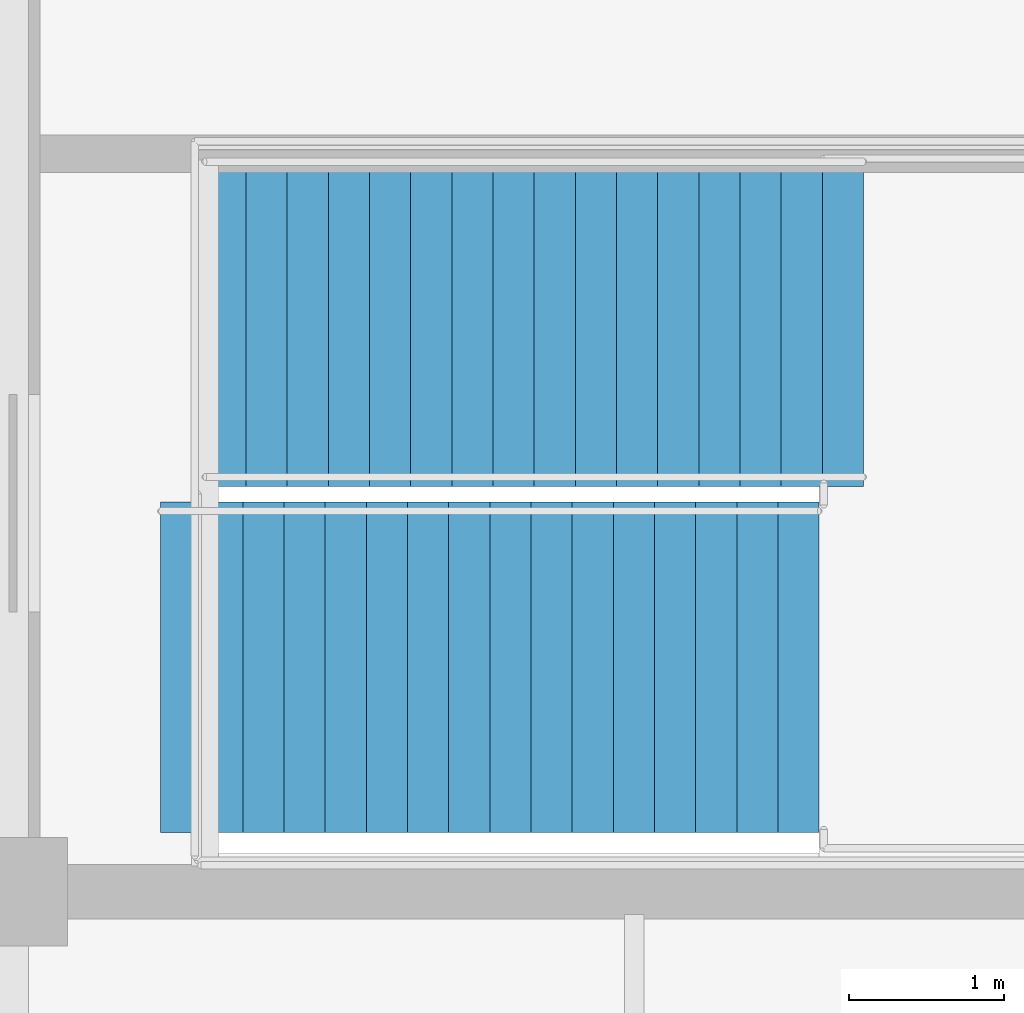
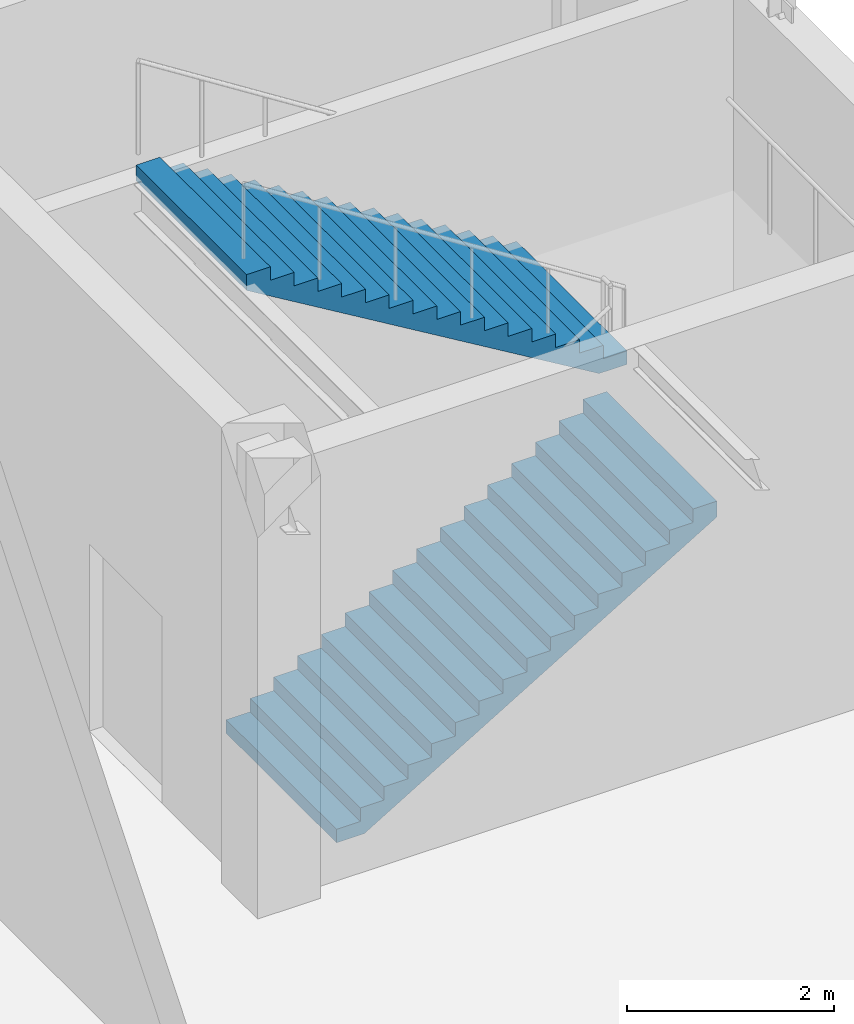
# One storey, part 171 of 184: 2 stair flights, 1 element without a shape of its own.
"""IFC4 building model written with IfcOpenShell, lengths in metres."""

from ifc_helpers import new_model, si_unit, direction, frame, origin, place, context, subcontext, project, spatial, polyline, outline, extrude, material, type_object, element, aggregate, save


model = new_model("IFC4")

# Units and contexts
model_context = context("Model", 3, precision=1e-05, world=origin(), true_north=direction((0.0, 1.0)))
body_context = subcontext(model_context, "Body", "Model", "MODEL_VIEW")
ifc_project = project(units=[si_unit("LENGTHUNIT", "METRE"), si_unit("AREAUNIT", "SQUARE_METRE"), si_unit("VOLUMEUNIT", "CUBIC_METRE"), si_unit("PLANEANGLEUNIT", "RADIAN"), si_unit("MASSUNIT", "GRAM", prefix="KILO")], contexts=[model_context])

# Site, building, storey
site_placement = place(None, origin())
site = spatial("IfcSite", under=ifc_project, at=site_placement, CompositionType="ELEMENT")
building_placement = place(site_placement, origin())
building = spatial("IfcBuilding", under=site, at=building_placement, Name="Zhaolan Boulevard Law Courts", CompositionType="ELEMENT")
storey_placement = place(building_placement, frame((0.0, 0.0, 5.39990234375)))
storey = spatial("IfcBuildingStorey", under=building, at=storey_placement, Name="L01", CompositionType="ELEMENT", Elevation=5.39990234375)

# Stair, stair flights
ifc_material_1 = material(Name="Concrete C40", Category="concrete")
stair_type = type_object("IfcStairType", Name="HALF TURN STAIR 54 A", PredefinedType="HALF_TURN_STAIR", material=ifc_material_1)
stair_placement = place(storey_placement, origin())
stair = element("IfcStair", 1, at=stair_placement, inside=storey, type_object=stair_type, Name="Stair ST09-L01", PredefinedType="HALF_TURN_STAIR")
ifc_material_2 = material(Name="Concrete C40", Category="concrete")
stair_flight_type = type_object("IfcStairFlightType", Name="STAIR FLIGHT 54 A", PredefinedType="STRAIGHT", material=ifc_material_2)
stair_flight_1_placement = place(storey_placement, frame((140.949951171875, 71.445068359375, 0.0), z_axis=(0.0, 0.0, 1.0), x_axis=(1.0, 0.0, 0.0)))
stair_flight_1 = element("IfcStairFlight", 2, at=stair_flight_1_placement, type_object=stair_flight_type, Name="Stair Flight ST09-L01-F1", NumberOfRisers=17, NumberOfTreads=16, PredefinedType="STRAIGHT", RiserHeight=0.158823529, TreadLength=0.265, context=body_context, shape_type="SweptSolid", body=[
    extrude(outline(polyline([(0.0, 0.0), (0.0, 0.158935546875), (0.264892578125, 0.158935546875), (0.264892578125, 0.317626953125), (0.530029296875, 0.317626953125), (0.530029296875, 0.4765625), (0.794921875, 0.4765625), (0.794921875, 0.63525390625), (1.06005859375, 0.63525390625), (1.06005859375, 0.794189453125), (1.324951171875, 0.794189453125), (1.324951171875, 0.952880859375), (1.590087890625, 0.952880859375), (1.590087890625, 1.11181640625), (1.85498046875, 1.11181640625), (1.85498046875, 1.2705078125), (2.1201171875, 1.2705078125), (2.1201171875, 1.429443359375), (2.385009765625, 1.429443359375), (2.385009765625, 1.588134765625), (2.64990234375, 1.588134765625), (2.64990234375, 1.7470703125), (2.9150390625, 1.7470703125), (2.9150390625, 1.90576171875), (3.179931640625, 1.90576171875), (3.179931640625, 2.064697265625), (3.445068359375, 2.064697265625), (3.445068359375, 2.2236328125), (3.7099609375, 2.2236328125), (3.7099609375, 2.38232421875), (3.97509765625, 2.38232421875), (3.97509765625, 2.541259765625), (4.239990234375, 2.541259765625), (4.239990234375, 2.699951171875), (4.239990234375, 2.354736328125), (0.31103515625, 0.0), (0.0, 0.0)])), frame((0.0, 1.06494140625, 0.0), z_axis=(0.0, -1.0, 0.0), x_axis=(1.0, 0.0, 0.0)), (0.0, 0.0, 1.0), 2.1298828125),
])
stair_flight_2_placement = place(storey_placement, frame((145.47509765625, 73.675048828125, 2.7001953125), z_axis=(0.0, 0.0, 1.0), x_axis=(-1.0, 0.0, 0.0)))
stair_flight_2 = element("IfcStairFlight", 3, at=stair_flight_2_placement, type_object=stair_flight_type, Name="Stair Flight ST09-L01-F2", NumberOfRisers=17, NumberOfTreads=16, PredefinedType="STRAIGHT", RiserHeight=0.158823529, TreadLength=0.265, context=body_context, shape_type="SweptSolid", body=[
    extrude(outline(polyline([(0.0, 0.0), (0.0, 0.158935546875), (0.264892578125, 0.158935546875), (0.264892578125, 0.317626953125), (0.530029296875, 0.317626953125), (0.530029296875, 0.4765625), (0.794921875, 0.4765625), (0.794921875, 0.63525390625), (1.06005859375, 0.63525390625), (1.06005859375, 0.794189453125), (1.324951171875, 0.794189453125), (1.324951171875, 0.952880859375), (1.590087890625, 0.952880859375), (1.590087890625, 1.11181640625), (1.85498046875, 1.11181640625), (1.85498046875, 1.2705078125), (2.1201171875, 1.2705078125), (2.1201171875, 1.429443359375), (2.385009765625, 1.429443359375), (2.385009765625, 1.588134765625), (2.64990234375, 1.588134765625), (2.64990234375, 1.7470703125), (2.9150390625, 1.7470703125), (2.9150390625, 1.90576171875), (3.179931640625, 1.90576171875), (3.179931640625, 2.064697265625), (3.445068359375, 2.064697265625), (3.445068359375, 2.2236328125), (3.7099609375, 2.2236328125), (3.7099609375, 2.38232421875), (3.97509765625, 2.38232421875), (3.97509765625, 2.541259765625), (4.239990234375, 2.541259765625), (4.239990234375, 2.699951171875), (4.239990234375, 2.354736328125), (0.31103515625, 0.0), (0.0, 0.0)])), frame((0.0, 1.06494140625, 0.0), z_axis=(0.0, -1.0, 0.0), x_axis=(1.0, 0.0, 0.0)), (0.0, 0.0, 1.0), 2.1298828125),
])
aggregate(stair, [stair_flight_1, stair_flight_2])

save(model, "model.ifc")
